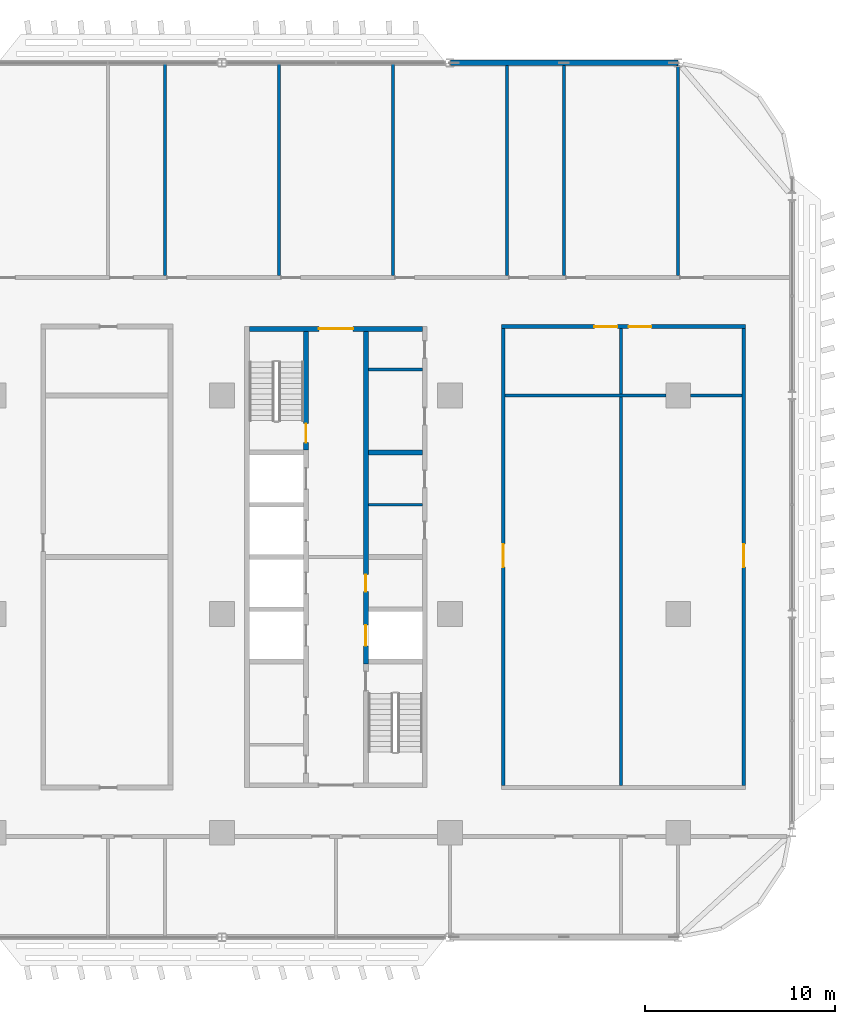
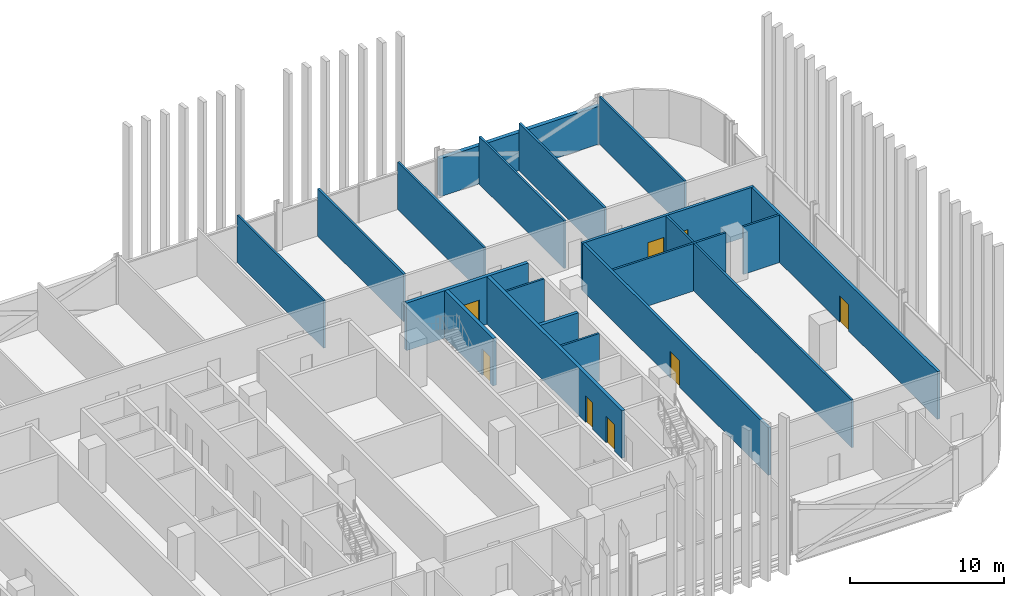
# One storey, part 18 of 32: 19 walls, 8 doors, 8 openings.
"""IFC4 building model written with IfcOpenShell, lengths in metres."""

from ifc_helpers import new_model, si_unit, direction, frame, frame_2d, origin, place, context, subcontext, project, spatial, rectangle, extrude, material, layer, layer_set, type_object, element, fill, save


model = new_model("IFC4")

# Units and contexts
model_context = context("Model", 3, precision=1e-05, world=origin(), true_north=direction((0.0, 1.0)))
body_context = subcontext(model_context, "Body", "Model", "MODEL_VIEW")
ifc_project = project(units=[si_unit("LENGTHUNIT", "METRE"), si_unit("AREAUNIT", "SQUARE_METRE"), si_unit("VOLUMEUNIT", "CUBIC_METRE"), si_unit("PLANEANGLEUNIT", "RADIAN"), si_unit("MASSUNIT", "GRAM", prefix="KILO")], contexts=[model_context])

# Site, building, storey
site_placement = place(None, origin())
site = spatial("IfcSite", under=ifc_project, at=site_placement, CompositionType="ELEMENT")
building_placement = place(site_placement, origin())
building = spatial("IfcBuilding", under=site, at=building_placement, Name="Mahtab Terrace Research Tower", CompositionType="ELEMENT")
storey_placement = place(building_placement, frame((0.0, 0.0, 138.39990234375)))
storey = spatial("IfcBuildingStorey", under=building, at=storey_placement, Name="L32", CompositionType="ELEMENT", Elevation=138.39990234375)

# Walls
ifc_material_1 = material(Name="Gypsum board partition")
ifc_layer_1 = layer(ifc_material_1, 0.14990234375)
ifc_layer_set_1 = layer_set([ifc_layer_1], Name="Core partition 150")
wall_type_1 = type_object("IfcWallType", Name="Core partition 150", PredefinedType="PARTITIONING", material=ifc_layer_set_1)
for number, where, z_axis, x_axis, name in (
    (1, (25.699951171875, 5.75, 0.0), (0.0, 0.0, 1.0), (1.0, 0.0, 0.0), "Core wall C pEL275"),
    (2, (25.699951171875, 12.875, 0.0), (0.0, 0.0, 1.0), (1.0, 0.0, 0.0), "Core wall C pEN988"),
):
    element("IfcWall", number, at=place(storey_placement, frame(where, z_axis=z_axis, x_axis=x_axis)), inside=storey, type_object=wall_type_1, Name=name, PredefinedType="PARTITIONING", context=body_context, shape_type="SweptSolid", body=[
        extrude(rectangle(XDim=2.85009765625, YDim=0.14990234375, at=frame_2d((1.425048828125, 0.0))), origin(), (0.0, 0.0, 1.0), 3.760009765625),
    ])

# Wall, opening, door
ifc_material_2 = material(Name="Concrete C70/85", Category="concrete")
ifc_layer_2 = layer(ifc_material_2, 0.25)
ifc_layer_set_2 = layer_set([ifc_layer_2], Name="Core wall 250")
wall_type_2 = type_object("IfcWallType", Name="Core wall 250", PredefinedType="SOLIDWALL", material=ifc_layer_set_2)
wall_1_placement = place(storey_placement, frame((19.449951171875, 15.0, 0.0), z_axis=(0.0, 0.0, 1.0), x_axis=(1.0, 0.0, 0.0)))
wall_1 = element("IfcWall", 3, at=wall_1_placement, inside=storey, type_object=wall_type_2, Name="Core wall C endN", PredefinedType="SOLIDWALL", context=body_context, shape_type="SweptSolid", body=[
    extrude(rectangle(XDim=9.10009765625, YDim=0.25, at=frame_2d((4.550048828125, 0.0))), origin(), (0.0, 0.0, 1.0), 3.760009765625),
])
opening_1_placement = place(wall_1_placement, frame((3.64990234375, 0.0, 0.0)))
opening_1 = element("IfcOpeningElement", 4, at=opening_1_placement, cuts=wall_1, Name="Opening C-N1", PredefinedType="OPENING", context=body_context, shape_type="SweptSolid", body=[
    extrude(rectangle(XDim=1.800048828125, YDim=2.10009765625, at=frame_2d((0.89990234375, 1.050048828125))), frame((0.0, 0.135009765625, 0.0), z_axis=(0.0, -1.0, 0.0), x_axis=(1.0, 0.0, 0.0)), (0.0, 0.0, 1.0), 0.27001953125),
])
ifc_material_3 = material(Name="Steel fire door", Category="steel")
door_type_1 = type_object("IfcDoorType", Name="Lobby double door 1800x2100 1 HR", OperationType="DOUBLE_DOOR_SINGLE_SWING", PredefinedType="DOOR", material=ifc_material_3)
door_1_placement = place(opening_1_placement, origin())
door_1 = element("IfcDoor", 5, at=door_1_placement, inside=storey, type_object=door_type_1, Name="Core entrance door C N", OperationType="DOUBLE_DOOR_SINGLE_SWING", OverallHeight=2.10009765625, OverallWidth=1.800048828125, PredefinedType="DOOR", context=body_context, shape_type="SweptSolid", body=[
    extrude(rectangle(XDim=1.800048828125, YDim=2.10009765625, at=frame_2d((0.89990234375, 1.050048828125))), frame((0.0, 0.02490234375, 0.0), z_axis=(0.0, -1.0, 0.0), x_axis=(1.0, 0.0, 0.0)), (0.0, 0.0, 1.0), 0.050048828125),
])
fill(opening_1, door_1)

wall_2_placement = place(storey_placement, frame((22.425048828125, 14.875, 0.0), z_axis=(0.0, 0.0, 1.0), x_axis=(0.0, -1.0, 0.0)))
wall_2 = element("IfcWall", 6, at=wall_2_placement, inside=storey, type_object=wall_type_2, Name="Core wall C innerWN", PredefinedType="SOLIDWALL", context=body_context, shape_type="SweptSolid", body=[
    extrude(rectangle(XDim=6.25, YDim=0.25, at=frame_2d((3.125, 0.0))), origin(), (0.0, 0.0, 1.0), 3.760009765625),
])
opening_2_placement = place(wall_2_placement, frame((4.85009765625, 0.0, 0.0)))
opening_2 = element("IfcOpeningElement", 7, at=opening_2_placement, cuts=wall_2, Name="Opening C-ST3", PredefinedType="OPENING", context=body_context, shape_type="SweptSolid", body=[
    extrude(rectangle(XDim=1.0, YDim=2.10009765625, at=frame_2d((0.5, 1.050048828125))), frame((0.0, 0.135009765625, 0.0), z_axis=(0.0, -1.0, 0.0), x_axis=(1.0, 0.0, 0.0)), (0.0, 0.0, 1.0), 0.27001953125),
])
door_type_2 = type_object("IfcDoorType", Name="Stair door 1000x2100 1.5 HR", OperationType="NOTDEFINED", PredefinedType="DOOR", material=ifc_material_3)
door_2_placement = place(opening_2_placement, origin())
door_2 = element("IfcDoor", 8, at=door_2_placement, inside=storey, type_object=door_type_2, Name="Stair door ST3 L32", OperationType="SINGLE_SWING_RIGHT", OverallHeight=2.10009765625, OverallWidth=1.0, PredefinedType="DOOR", context=body_context, shape_type="SweptSolid", body=[
    extrude(rectangle(XDim=1.0, YDim=2.10009765625, at=frame_2d((0.5, 1.050048828125))), frame((0.0, 0.02490234375, 0.0), z_axis=(0.0, -1.0, 0.0), x_axis=(1.0, 0.0, 0.0)), (0.0, 0.0, 1.0), 0.050048828125),
])
fill(opening_2, door_2)

# Wall, openings, doors
wall_3_placement = place(storey_placement, frame((25.574951171875, 14.875, 0.0), z_axis=(0.0, 0.0, 1.0), x_axis=(0.0, -1.0, 0.0)))
wall_3 = element("IfcWall", 9, at=wall_3_placement, inside=storey, type_object=wall_type_2, Name="Core wall C innerELN", PredefinedType="SOLIDWALL", context=body_context, shape_type="SweptSolid", body=[
    extrude(rectangle(XDim=17.5, YDim=0.25, at=frame_2d((8.75, 0.0))), origin(), (0.0, 0.0, 1.0), 3.760009765625),
])
opening_3_placement = place(wall_3_placement, frame((15.449951171875, 0.0, 0.0)))
opening_3 = element("IfcOpeningElement", 10, at=opening_3_placement, cuts=wall_3, Name="Opening LD21-L32", PredefinedType="OPENING", context=body_context, shape_type="SweptSolid", body=[
    extrude(rectangle(XDim=1.10009765625, YDim=2.10009765625, at=frame_2d((0.550048828125, 1.050048828125))), frame((0.0, 0.135009765625, 0.0), z_axis=(0.0, -1.0, 0.0), x_axis=(1.0, 0.0, 0.0)), (0.0, 0.0, 1.0), 0.27001953125),
])
opening_4_placement = place(wall_3_placement, frame((12.800048828125, 0.0, 0.0)))
opening_4 = element("IfcOpeningElement", 11, at=opening_4_placement, cuts=wall_3, Name="Opening C-R1", PredefinedType="OPENING", context=body_context, shape_type="SweptSolid", body=[
    extrude(rectangle(XDim=0.89990234375, YDim=2.10009765625, at=frame_2d((0.449951171875, 1.050048828125))), frame((0.0, 0.135009765625, 0.0), z_axis=(0.0, -1.0, 0.0), x_axis=(1.0, 0.0, 0.0)), (0.0, 0.0, 1.0), 0.27001953125),
])
ifc_material_4 = material(Name="Stainless steel AISI 304", Category="steel")
door_type_3 = type_object("IfcDoorType", Name="Landing door 1100x2100", OperationType="DOUBLE_DOOR_SLIDING", PredefinedType="DOOR", material=ifc_material_4)
door_3_placement = place(opening_3_placement, origin())
door_3 = element("IfcDoor", 12, at=door_3_placement, inside=storey, type_object=door_type_3, Name="Landing door SV3 L32", OperationType="DOUBLE_DOOR_SLIDING", OverallHeight=2.10009765625, OverallWidth=1.10009765625, PredefinedType="DOOR", context=body_context, shape_type="SweptSolid", body=[
    extrude(rectangle(XDim=1.10009765625, YDim=2.10009765625, at=frame_2d((0.550048828125, 1.050048828125))), frame((0.0, 0.02490234375, 0.0), z_axis=(0.0, -1.0, 0.0), x_axis=(1.0, 0.0, 0.0)), (0.0, 0.0, 1.0), 0.050048828125),
])
fill(opening_3, door_3)
door_type_4 = type_object("IfcDoorType", Name="Room door 900x2100 1 HR", OperationType="NOTDEFINED", PredefinedType="DOOR", material=ifc_material_3)
door_4_placement = place(opening_4_placement, origin())
door_4 = element("IfcDoor", 13, at=door_4_placement, inside=storey, type_object=door_type_4, Name="Plant room door", OperationType="SINGLE_SWING_LEFT", OverallHeight=2.10009765625, OverallWidth=0.89990234375, PredefinedType="DOOR", context=body_context, shape_type="SweptSolid", body=[
    extrude(rectangle(XDim=0.89990234375, YDim=2.10009765625, at=frame_2d((0.449951171875, 1.050048828125))), frame((0.0, 0.02490234375, 0.0), z_axis=(0.0, -1.0, 0.0), x_axis=(1.0, 0.0, 0.0)), (0.0, 0.0, 1.0), 0.050048828125),
])
fill(opening_4, door_4)

# Walls
wall_4_placement = place(storey_placement, frame((25.699951171875, 8.5, 0.0), z_axis=(0.0, 0.0, 1.0), x_axis=(1.0, 0.0, 0.0)))
element("IfcWall", 14, at=wall_4_placement, inside=storey, type_object=wall_type_2, Name="Core wall C divE4", PredefinedType="SOLIDWALL", context=body_context, shape_type="SweptSolid", body=[
    extrude(rectangle(XDim=2.85009765625, YDim=0.25, at=frame_2d((1.425048828125, 0.0))), origin(), (0.0, 0.0, 1.0), 3.760009765625),
])
ifc_material_5 = material(Name="Black aluminium cladding panel", Category="aluminium")
ifc_layer_3 = layer(ifc_material_5, 0.300048828125)
ifc_layer_set_3 = layer_set([ifc_layer_3], Name="Opaque facade wall 300")
wall_type_3 = type_object("IfcWallType", Name="Opaque facade wall 300", PredefinedType="NOTDEFINED", material=ifc_layer_set_3)
wall_5_placement = place(storey_placement, frame((41.982177734375, 29.0, 0.0), z_axis=(0.0, 0.0, 1.0), x_axis=(-1.0, 0.0, 0.0)))
element("IfcWall", 15, at=wall_5_placement, inside=storey, type_object=wall_type_3, Name="Opaque facade wall L32 N3", PredefinedType="NOTDEFINED", context=body_context, shape_type="SweptSolid", body=[
    extrude(rectangle(XDim=11.96435546875, YDim=0.300048828125, at=frame_2d((5.982177734375, 0.0))), origin(), (0.0, 0.0, 1.0), 3.003173828125),
])

# Wall, openings, doors
ifc_material_6 = material(Name="Gypsum board corridor wall on steel studs", Category="steel")
ifc_layer_4 = layer(ifc_material_6, 0.199951171875)
ifc_layer_set_4 = layer_set([ifc_layer_4], Name="WALL CORRIDOR 200")
wall_type_4 = type_object("IfcWallType", Name="WALL CORRIDOR 200", PredefinedType="PARTITIONING", material=ifc_layer_set_4)
wall_6_placement = place(storey_placement, frame((32.699951171875, 15.125, 0.0), z_axis=(0.0, 0.0, 1.0), x_axis=(1.0, 0.0, 0.0)))
wall_6 = element("IfcWall", 16, at=wall_6_placement, inside=storey, type_object=wall_type_4, Name="L32-W025", PredefinedType="PARTITIONING", context=body_context, shape_type="SweptSolid", body=[
    extrude(rectangle(XDim=12.85009765625, YDim=0.199951171875, at=frame_2d((6.425048828125, 0.0))), origin(), (0.0, 0.0, 1.0), 3.760009765625),
])
opening_5_placement = place(wall_6_placement, frame((4.89990234375, 0.0, 0.0)))
opening_5 = element("IfcOpeningElement", 17, at=opening_5_placement, cuts=wall_6, Name="Opening L32-127", PredefinedType="OPENING", context=body_context, shape_type="SweptSolid", body=[
    extrude(rectangle(XDim=1.199951171875, YDim=2.10009765625, at=frame_2d((0.60009765625, 1.050048828125))), frame((0.0, 0.10986328125, 0.0), z_axis=(0.0, -1.0, 0.0), x_axis=(1.0, 0.0, 0.0)), (0.0, 0.0, 1.0), 0.219970703125),
])
opening_6_placement = place(wall_6_placement, frame((6.699951171875, 0.0, 0.0)))
opening_6 = element("IfcOpeningElement", 18, at=opening_6_placement, cuts=wall_6, Name="Opening L32-128", PredefinedType="OPENING", context=body_context, shape_type="SweptSolid", body=[
    extrude(rectangle(XDim=1.199951171875, YDim=2.10009765625, at=frame_2d((0.60009765625, 1.050048828125))), frame((0.0, 0.10986328125, 0.0), z_axis=(0.0, -1.0, 0.0), x_axis=(1.0, 0.0, 0.0)), (0.0, 0.0, 1.0), 0.219970703125),
])
ifc_material_7 = material(Name="Timber door leaf in steel frame", Category="steel")
door_type_5 = type_object("IfcDoorType", Name="DOOR 1200X2100 FD30S", OperationType="SINGLE_SWING_LEFT", PredefinedType="DOOR", material=ifc_material_7)
door_5_placement = place(opening_5_placement, origin())
door_5 = element("IfcDoor", 19, at=door_5_placement, inside=storey, type_object=door_type_5, Name="Door L32-127", OperationType="SINGLE_SWING_RIGHT", OverallHeight=2.10009765625, OverallWidth=1.199951171875, PredefinedType="DOOR", context=body_context, shape_type="SweptSolid", body=[
    extrude(rectangle(XDim=1.199951171875, YDim=2.10009765625, at=frame_2d((0.60009765625, 1.050048828125))), frame((0.0, 0.02490234375, 0.0), z_axis=(0.0, -1.0, 0.0), x_axis=(1.0, 0.0, 0.0)), (0.0, 0.0, 1.0), 0.050048828125),
])
fill(opening_5, door_5)
door_6_placement = place(opening_6_placement, origin())
door_6 = element("IfcDoor", 20, at=door_6_placement, inside=storey, type_object=door_type_5, Name="Door L32-128", OperationType="SINGLE_SWING_LEFT", OverallHeight=2.10009765625, OverallWidth=1.199951171875, PredefinedType="DOOR", context=body_context, shape_type="SweptSolid", body=[
    extrude(rectangle(XDim=1.199951171875, YDim=2.10009765625, at=frame_2d((0.60009765625, 1.050048828125))), frame((0.0, 0.02490234375, 0.0), z_axis=(0.0, -1.0, 0.0), x_axis=(1.0, 0.0, 0.0)), (0.0, 0.0, 1.0), 0.050048828125),
])
fill(opening_6, door_6)

# Wall, opening, door
wall_7_placement = place(storey_placement, frame((32.800048828125, -9.02490234375, 0.0), z_axis=(0.0, 0.0, 1.0), x_axis=(0.0, 1.0, 0.0)))
wall_7 = element("IfcWall", 21, at=wall_7_placement, inside=storey, type_object=wall_type_4, Name="L32-W059", PredefinedType="PARTITIONING", context=body_context, shape_type="SweptSolid", body=[
    extrude(rectangle(XDim=24.0498046875, YDim=0.199951171875, at=frame_2d((12.02490234375, 0.0))), origin(), (0.0, 0.0, 1.0), 3.760009765625),
])
opening_7_placement = place(wall_7_placement, frame((11.5, 0.0, 0.0)))
opening_7 = element("IfcOpeningElement", 22, at=opening_7_placement, cuts=wall_7, Name="Opening L32-120", PredefinedType="OPENING", context=body_context, shape_type="SweptSolid", body=[
    extrude(rectangle(XDim=1.199951171875, YDim=2.10009765625, at=frame_2d((0.60009765625, 1.050048828125))), frame((0.0, 0.10986328125, 0.0), z_axis=(0.0, -1.0, 0.0), x_axis=(1.0, 0.0, 0.0)), (0.0, 0.0, 1.0), 0.219970703125),
])
door_7_placement = place(opening_7_placement, origin())
door_7 = element("IfcDoor", 23, at=door_7_placement, inside=storey, type_object=door_type_5, Name="Door L32-120", OperationType="SINGLE_SWING_LEFT", OverallHeight=2.10009765625, OverallWidth=1.199951171875, PredefinedType="DOOR", context=body_context, shape_type="SweptSolid", body=[
    extrude(rectangle(XDim=1.199951171875, YDim=2.10009765625, at=frame_2d((0.60009765625, 1.050048828125))), frame((0.0, 0.02490234375, 0.0), z_axis=(0.0, -1.0, 0.0), x_axis=(1.0, 0.0, 0.0)), (0.0, 0.0, 1.0), 0.050048828125),
])
fill(opening_7, door_7)

wall_8_placement = place(storey_placement, frame((45.449951171875, -9.02490234375, 0.0), z_axis=(0.0, 0.0, 1.0), x_axis=(0.0, 1.0, 0.0)))
wall_8 = element("IfcWall", 24, at=wall_8_placement, inside=storey, type_object=wall_type_4, Name="L32-W066", PredefinedType="PARTITIONING", context=body_context, shape_type="SweptSolid", body=[
    extrude(rectangle(XDim=24.0498046875, YDim=0.199951171875, at=frame_2d((12.02490234375, 0.0))), origin(), (0.0, 0.0, 1.0), 3.760009765625),
])
opening_8_placement = place(wall_8_placement, frame((11.5, 0.0, 0.0)))
opening_8 = element("IfcOpeningElement", 25, at=opening_8_placement, cuts=wall_8, Name="Opening L32-121", PredefinedType="OPENING", context=body_context, shape_type="SweptSolid", body=[
    extrude(rectangle(XDim=1.199951171875, YDim=2.10009765625, at=frame_2d((0.60009765625, 1.050048828125))), frame((0.0, 0.10986328125, 0.0), z_axis=(0.0, -1.0, 0.0), x_axis=(1.0, 0.0, 0.0)), (0.0, 0.0, 1.0), 0.219970703125),
])
door_8_placement = place(opening_8_placement, origin())
door_8 = element("IfcDoor", 26, at=door_8_placement, inside=storey, type_object=door_type_5, Name="Door L32-121", OperationType="SINGLE_SWING_RIGHT", OverallHeight=2.10009765625, OverallWidth=1.199951171875, PredefinedType="DOOR", context=body_context, shape_type="SweptSolid", body=[
    extrude(rectangle(XDim=1.199951171875, YDim=2.10009765625, at=frame_2d((0.60009765625, 1.050048828125))), frame((0.0, 0.02490234375, 0.0), z_axis=(0.0, -1.0, 0.0), x_axis=(1.0, 0.0, 0.0)), (0.0, 0.0, 1.0), 0.050048828125),
])
fill(opening_8, door_8)

# Walls
ifc_material_8 = material(Name="Gypsum board partition on steel studs", Category="steel")
ifc_layer_5 = layer(ifc_material_8, 0.14990234375)
ifc_layer_set_5 = layer_set([ifc_layer_5], Name="WALL PARTITION 150")
wall_type_5 = type_object("IfcWallType", Name="WALL PARTITION 150", PredefinedType="PARTITIONING", material=ifc_layer_set_5)
wall_9_placement = place(storey_placement, frame((32.89990234375, 11.5, 0.0), z_axis=(0.0, 0.0, 1.0), x_axis=(1.0, 0.0, 0.0)))
element("IfcWall", 27, at=wall_9_placement, inside=storey, type_object=wall_type_5, Name="L32-W020", PredefinedType="PARTITIONING", context=body_context, shape_type="SweptSolid", body=[
    extrude(rectangle(XDim=8.4501953125, YDim=0.14990234375, at=frame_2d((4.22509765625, 0.0))), origin(), (0.0, 0.0, 1.0), 3.760009765625),
])
wall_10_placement = place(storey_placement, frame((42.64990234375, 11.5, 0.0), z_axis=(0.0, 0.0, 1.0), x_axis=(1.0, 0.0, 0.0)))
element("IfcWall", 28, at=wall_10_placement, inside=storey, type_object=wall_type_5, Name="L32-W021", PredefinedType="PARTITIONING", context=body_context, shape_type="SweptSolid", body=[
    extrude(rectangle(XDim=2.7001953125, YDim=0.14990234375, at=frame_2d((1.35009765625, 0.0))), origin(), (0.0, 0.0, 1.0), 3.760009765625),
])
for number, where, z_axis, x_axis, name in (
    (29, (15.0, 17.800048828125, 0.0), (0.0, 0.0, 1.0), (0.0, 1.0, 0.0), "L32-W053"),
    (30, (21.0, 17.800048828125, 0.0), (0.0, 0.0, 1.0), (0.0, 1.0, 0.0), "L32-W055"),
    (31, (27.0, 17.800048828125, 0.0), (0.0, 0.0, 1.0), (0.0, 1.0, 0.0), "L32-W057"),
):
    element("IfcWall", number, at=place(storey_placement, frame(where, z_axis=z_axis, x_axis=x_axis)), inside=storey, type_object=wall_type_5, Name=name, PredefinedType="PARTITIONING", context=body_context, shape_type="SweptSolid", body=[
        extrude(rectangle(XDim=11.175048828125, YDim=0.14990234375, at=frame_2d((5.58740234375, 0.0))), origin(), (0.0, 0.0, 1.0), 3.760009765625),
    ])
for number, where, z_axis, x_axis, name in (
    (32, (33.0, 17.800048828125, 0.0), (0.0, 0.0, 1.0), (0.0, 1.0, 0.0), "L32-W060"),
    (33, (36.0, 17.800048828125, 0.0), (0.0, 0.0, 1.0), (0.0, 1.0, 0.0), "L32-W061"),
):
    element("IfcWall", number, at=place(storey_placement, frame(where, z_axis=z_axis, x_axis=x_axis)), inside=storey, type_object=wall_type_5, Name=name, PredefinedType="PARTITIONING", context=body_context, shape_type="SweptSolid", body=[
        extrude(rectangle(XDim=11.050048828125, YDim=0.14990234375, at=frame_2d((5.52490234375, 0.0))), origin(), (0.0, 0.0, 1.0), 3.760009765625),
    ])
wall_11_placement = place(storey_placement, frame((39.0, -9.02490234375, 0.0), z_axis=(0.0, 0.0, 1.0), x_axis=(0.0, 1.0, 0.0)))
element("IfcWall", 34, at=wall_11_placement, inside=storey, type_object=wall_type_5, Name="L32-W063", PredefinedType="PARTITIONING", context=body_context, shape_type="SweptSolid", body=[
    extrude(rectangle(XDim=24.0498046875, YDim=0.14990234375, at=frame_2d((12.02490234375, 0.0))), origin(), (0.0, 0.0, 1.0), 3.760009765625),
])
wall_12_placement = place(storey_placement, frame((42.0, 17.800048828125, 0.0), z_axis=(0.0, 0.0, 1.0), x_axis=(0.0, 1.0, 0.0)))
element("IfcWall", 35, at=wall_12_placement, inside=storey, type_object=wall_type_5, Name="L32-W065", PredefinedType="PARTITIONING", context=body_context, shape_type="SweptSolid", body=[
    extrude(rectangle(XDim=11.047119140625, YDim=0.14990234375, at=frame_2d((5.5234375, 0.0))), origin(), (0.0, 0.0, 1.0), 3.760009765625),
])

save(model, "model.ifc")
